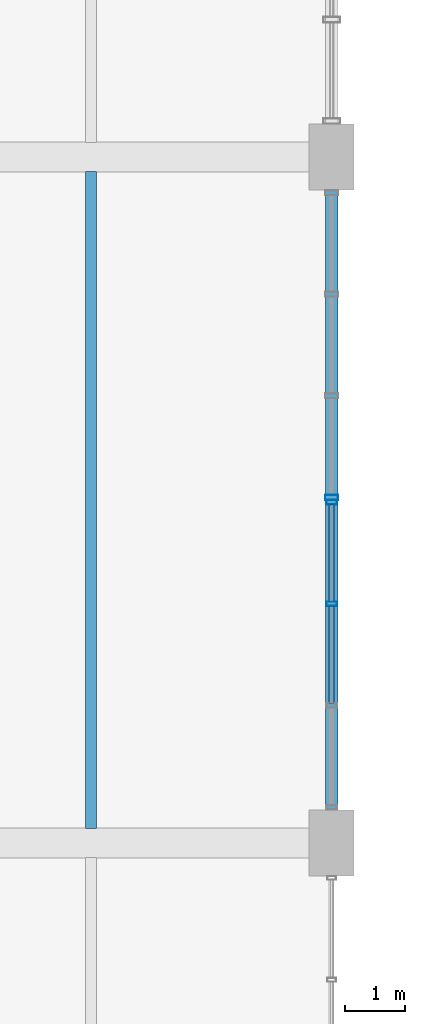
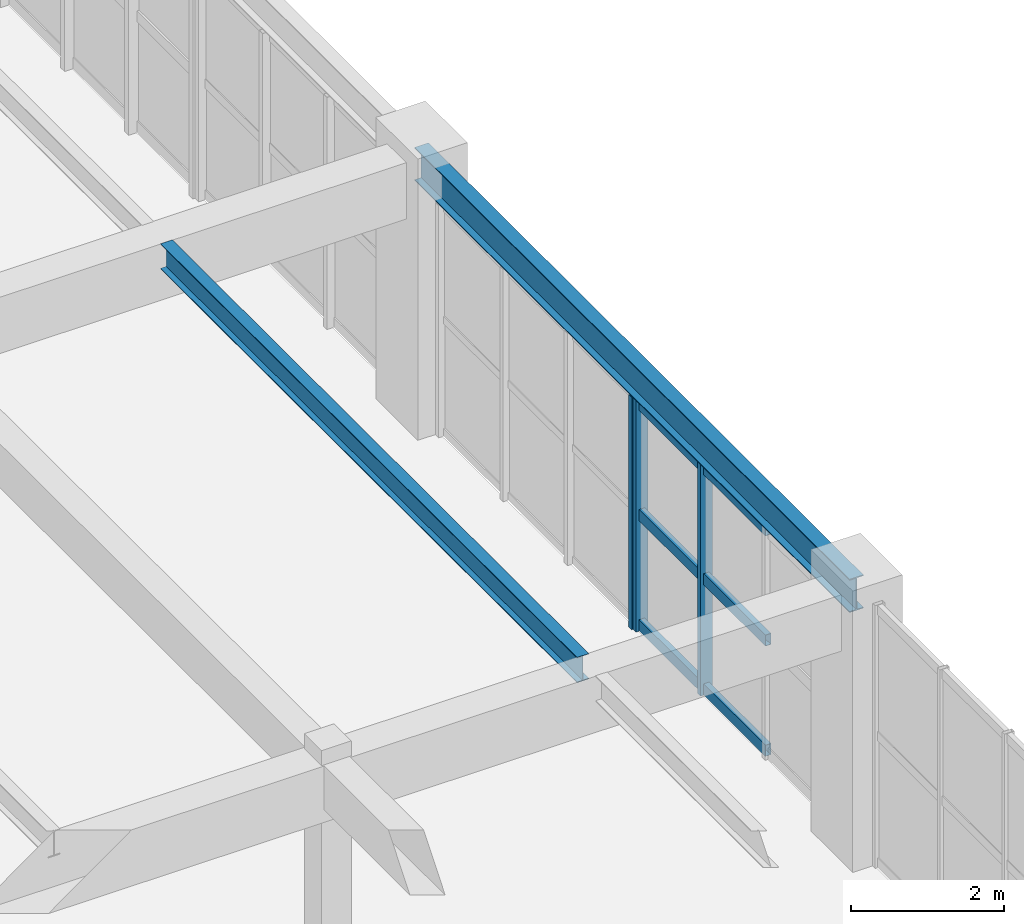
# One storey, part 16 of 80: 9 members, 2 beams, 2 elements without a shape of their own.
"""IFC4 building model written with IfcOpenShell, lengths in metres."""

import ifcopenshell
import ifcopenshell.guid

model = None  # the IFC model being written
_history = None  # IfcOwnerHistory: only IFC2X3 demands one
_inside = {}  # id of a spatial element -> (the spatial element, [elements in it])
_under = {}  # id of a project, library or spatial element -> (it, [spatial elements below it])
_declared = {}  # id of a project -> (the project, [libraries it declares])
_typed = {}  # id of a type object -> (the type object, [elements of that type])
_made_of = {}  # id of a material, layer set ... -> (it, [elements and type objects made of it])


def new_model(schema):
    """Start an empty IFC model of exactly this schema.

    Asked for "IFC4X3", IfcOpenShell would pick the latest addendum, in which some entities
    have other attributes; the version numbers below select the first issue.
    IFC2X3 requires an IfcOwnerHistory on every rooted entity: one is made here for all.
    """
    global model, _history
    if schema == "IFC4X3":
        model = ifcopenshell.file(schema_version=(4, 3, 0, 0))
    else:
        model = ifcopenshell.file(schema=schema)
    _inside.clear()
    _under.clear()
    _declared.clear()
    _typed.clear()
    _made_of.clear()
    _history = None
    if model.schema == "IFC2X3":
        org = make("IfcOrganization", Name="unknown")
        user = make(
            "IfcPersonAndOrganization",
            ThePerson=make("IfcPerson", FamilyName="unknown"),
            TheOrganization=org,
        )
        app = make(
            "IfcApplication",
            ApplicationDeveloper=org,
            Version="unknown",
            ApplicationFullName="unknown",
            ApplicationIdentifier="unknown",
        )
        _history = make(
            "IfcOwnerHistory",
            OwningUser=user,
            OwningApplication=app,
            ChangeAction="ADDED",
            CreationDate=0,
        )
    return model


def make(cls, **values):
    """One entity of the class cls with the attributes given. An attribute that is None is left unset."""
    return model.create_entity(
        cls, **{name: value for name, value in values.items() if value is not None}
    )


def rooted(cls, **values):
    """An entity with a GlobalId (a new one), such as an element, a storey or a relation."""
    return make(cls, GlobalId=ifcopenshell.guid.new(), OwnerHistory=_history, **values)


def si_unit(unit_type, name, prefix=None):
    """IfcSIUnit, for example si_unit("LENGTHUNIT", "METRE", prefix="MILLI")."""
    return make("IfcSIUnit", UnitType=unit_type, Prefix=prefix, Name=name)


def assignment(units):
    """IfcUnitAssignment: the units of a project."""
    return None if units is None else make("IfcUnitAssignment", Units=units)


def point(xyz):
    """IfcCartesianPoint."""
    return None if xyz is None else make("IfcCartesianPoint", Coordinates=xyz)


def direction(xyz):
    """IfcDirection."""
    return None if xyz is None else make("IfcDirection", DirectionRatios=xyz)


def frame(location, z_axis=None, x_axis=None):
    """IfcAxis2Placement3D, a coordinate frame: its origin and axes. An axis left out is left unset."""
    return make(
        "IfcAxis2Placement3D",
        Location=point(location),
        Axis=direction(z_axis),
        RefDirection=direction(x_axis),
    )


def frame_2d(location, x_axis=None):
    """IfcAxis2Placement2D, a coordinate frame in the plane: its origin and x axis."""
    return make(
        "IfcAxis2Placement2D", Location=point(location), RefDirection=direction(x_axis)
    )


def origin():
    """The frame at (0, 0, 0) with its axes left unset."""
    return frame((0.0, 0.0, 0.0))


def origin_2d():
    """The frame at (0, 0) in the plane with its x axis left unset."""
    return frame_2d((0.0, 0.0))


def place(relative_to, where):
    """IfcLocalPlacement: puts the frame where relative to a parent placement (None: the world)."""
    return make(
        "IfcLocalPlacement", PlacementRelTo=relative_to, RelativePlacement=where
    )


def context(
    kind, dimensions, precision=None, world=None, true_north=None, identifier=None
):
    """IfcGeometricRepresentationContext, for example the 3D "Model" context."""
    return make(
        "IfcGeometricRepresentationContext",
        ContextIdentifier=identifier,
        ContextType=kind,
        CoordinateSpaceDimension=dimensions,
        Precision=precision,
        WorldCoordinateSystem=world,
        TrueNorth=true_north,
    )


def subcontext(parent, identifier, kind, view, scale=None):
    """IfcGeometricRepresentationSubContext, for example "Body" below "Model"."""
    return make(
        "IfcGeometricRepresentationSubContext",
        ContextIdentifier=identifier,
        ContextType=kind,
        ParentContext=parent,
        TargetScale=scale,
        TargetView=view,
    )


def project(units=None, contexts=None):
    """IfcProject with its units and contexts."""
    return rooted(
        "IfcProject",
        Name="project",
        RepresentationContexts=contexts,
        UnitsInContext=assignment(units),
    )


def spatial(cls, under=None, at=None, **own):
    """A site, building, storey or space (cls), placed at a placement, below another one or the project."""
    s = rooted(cls, ObjectPlacement=at, **own)
    if under is not None:
        _under.setdefault(under.id(), (under, []))[1].append(s)
    return s


def profile(cls, at=None, kind="AREA", **sizes):
    """A parametric profile (cls). Its sizes go by their IFC names, for example OverallWidth=200.0."""
    return make(cls, ProfileType=kind, Position=at, **sizes)


def hollow_rectangle(**sizes):
    """IfcRectangleHollowProfileDef."""
    return profile("IfcRectangleHollowProfileDef", **sizes)


def i_section(**sizes):
    """IfcIShapeProfileDef."""
    return profile("IfcIShapeProfileDef", **sizes)


def extrude(swept, where, along, depth):
    """IfcExtrudedAreaSolid: the profile swept, set in the frame where, extruded along a direction by depth."""
    return make(
        "IfcExtrudedAreaSolid",
        SweptArea=swept,
        Position=where,
        ExtrudedDirection=direction(along),
        Depth=depth,
    )


def shape(context_of_items, identifier, shape_type, items):
    """IfcShapeRepresentation: the items that make up one representation, for example the "Body"."""
    return make(
        "IfcShapeRepresentation",
        ContextOfItems=context_of_items,
        RepresentationIdentifier=identifier,
        RepresentationType=shape_type,
        Items=items,
    )


def material(Name=None, Category=None):
    """IfcMaterial."""
    return make("IfcMaterial", Name=Name, Category=Category)


def layer(
    of_material, thickness, ventilated=None, Name=None, Category=None, Priority=None
):
    """IfcMaterialLayer: one layer of a wall or slab, of a material (None: an air gap)."""
    return make(
        "IfcMaterialLayer",
        Material=of_material,
        LayerThickness=thickness,
        IsVentilated=ventilated,
        Name=Name,
        Category=Category,
        Priority=Priority,
    )


def layer_set(layers, Name=None):
    """IfcMaterialLayerSet."""
    return make("IfcMaterialLayerSet", MaterialLayers=layers, LayerSetName=Name)


def material_profile(
    of_material, cross_section, Name=None, Category=None, Priority=None
):
    """IfcMaterialProfile: a cross section and its material."""
    return make(
        "IfcMaterialProfile",
        Name=Name,
        Material=of_material,
        Profile=cross_section,
        Priority=Priority,
        Category=Category,
    )


def profile_set(profiles, Name=None, composite=None):
    """IfcMaterialProfileSet."""
    return make(
        "IfcMaterialProfileSet",
        Name=Name,
        MaterialProfiles=profiles,
        CompositeProfile=composite,
    )


def made_of(thing, what):
    """Note that an element or type object is made of a material, layer set ...; save() writes the relation."""
    if what is not None:
        _made_of.setdefault(what.id(), (what, []))[1].append(thing)
    return thing


def type_object(cls, material=None, **own):
    """A type object (cls), such as IfcWallType, which elements share."""
    return made_of(rooted(cls, **own), material)


def element(
    cls,
    number,
    at=None,
    inside=None,
    cuts=None,
    type_object=None,
    material=None,
    context=None,
    identifier="Body",
    shape_type=None,
    held_by="IfcProductDefinitionShape",
    body=None,
    shapes=None,
    **own,
):
    """One element of the class cls, such as IfcWall. Its Tag is "e" and its number.

    at: its placement. inside: the storey or other place that contains it. cuts: it is an
    opening in that element (IfcRelVoidsElement). A single representation is given by context,
    identifier, shape_type and body (its items); several are given by shapes. held_by: the class
    of the entity that holds the representations. save() writes the other relations.
    """
    e = rooted(cls, Tag="e%d" % number, ObjectPlacement=at, **own)
    if body is not None:
        shapes = [shape(context, identifier, shape_type, body)]
    if shapes is not None:
        e.Representation = make(held_by, Representations=shapes)
    if inside is not None:
        _inside.setdefault(inside.id(), (inside, []))[1].append(e)
    if cuts is not None:
        rooted(
            "IfcRelVoidsElement", RelatingBuildingElement=cuts, RelatedOpeningElement=e
        )
    if type_object is not None:
        _typed.setdefault(type_object.id(), (type_object, []))[1].append(e)
    return made_of(e, material)


def aggregate(whole, parts):
    """IfcRelAggregates: a whole, such as a stair, and the parts it consists of."""
    return rooted("IfcRelAggregates", RelatingObject=whole, RelatedObjects=parts)


def save(model, path):
    """Write the relations noted so far, then the file.

    IfcRelAggregates (storeys below a building ...), IfcRelContainedInSpatialStructure (elements
    in a storey), IfcRelDefinesByType, IfcRelAssociatesMaterial and IfcRelDeclares: one each for
    every whole, place, type object, material and project.
    """
    for whole, parts in _under.values():
        aggregate(whole, parts)
    for where, things in _inside.values():
        rooted(
            "IfcRelContainedInSpatialStructure",
            RelatedElements=things,
            RelatingStructure=where,
        )
    for kind, things in _typed.values():
        rooted("IfcRelDefinesByType", RelatedObjects=things, RelatingType=kind)
    for what, things in _made_of.values():
        rooted("IfcRelAssociatesMaterial", RelatedObjects=things, RelatingMaterial=what)
    for by, libraries in _declared.values():
        rooted("IfcRelDeclares", RelatingContext=by, RelatedDefinitions=libraries)
    model.write(path)


model = new_model("IFC4")

# Units and contexts
model_context = context("Model", 3, precision=1e-05, world=origin(), true_north=direction((0.0, 1.0)))
body_context = subcontext(model_context, "Body", "Model", "MODEL_VIEW")
ifc_project = project(units=[si_unit("LENGTHUNIT", "METRE"), si_unit("AREAUNIT", "SQUARE_METRE"), si_unit("VOLUMEUNIT", "CUBIC_METRE"), si_unit("PLANEANGLEUNIT", "RADIAN"), si_unit("MASSUNIT", "GRAM", prefix="KILO"), si_unit("POWERUNIT", "WATT"), si_unit("THERMODYNAMICTEMPERATUREUNIT", "KELVIN")], contexts=[model_context])

# Site, building, storey
site_placement = place(None, origin())
site = spatial("IfcSite", under=ifc_project, at=site_placement, CompositionType="ELEMENT")
building_placement = place(site_placement, origin())
building = spatial("IfcBuilding", under=site, at=building_placement, Name="Kelmbourne Parkland Aquatics Centre", CompositionType="ELEMENT")
storey_placement = place(building_placement, frame((0.0, 0.0, 10.199951171875)))
storey = spatial("IfcBuildingStorey", under=building, at=storey_placement, Name="L02", CompositionType="ELEMENT", Elevation=10.199951171875)

# Beams
ifc_material_1 = material(Name="Structural steel AS/NZS 3679.1 Grade 300", Category="steel")
ifc_material_profile_1 = material_profile(ifc_material_1, i_section(OverallWidth=0.177978515625, OverallDepth=0.406005859375, WebThickness=0.0078125, FlangeThickness=0.0126953125, at=origin_2d()), Name="410UB59.7")
ifc_profile_set_1 = profile_set([ifc_material_profile_1], Name="Structural steel AS/NZS 3679.1 Grade 300")
beam_type_1 = type_object("IfcBeamType", Name="BM-J01", PredefinedType="JOIST", material=ifc_profile_set_1)
beam_1_placement = place(storey_placement, frame((36.0, 58.0419921875, 4.05712890625), z_axis=(0.0, 1.0, 0.0), x_axis=(-1.0, 0.0, 0.0)))
element("IfcBeam", 1, at=beam_1_placement, inside=storey, type_object=beam_type_1, Name="Secondary floor joist E-F/08-10 #1 (L03)", PredefinedType="JOIST", context=body_context, shape_type="SweptSolid", body=[
    extrude(i_section(OverallWidth=0.177978515625, OverallDepth=0.406005859375, WebThickness=0.0078125, FlangeThickness=0.0126953125, at=origin_2d()), origin(), (0.0, 0.0, 1.0), 10.916015625),
])
ifc_material_profile_2 = material_profile(ifc_material_1, i_section(OverallWidth=0.208984375, OverallDepth=0.532958984375, WebThickness=0.01025390625, FlangeThickness=0.015625, at=origin_2d()), Name="530UB92.4")
ifc_profile_set_2 = profile_set([ifc_material_profile_2], Name="Structural steel AS/NZS 3679.1 Grade 300")
beam_type_2 = type_object("IfcBeamType", Name="BM-SP02", PredefinedType="SPANDREL", material=ifc_profile_set_2)
beam_2_placement = place(storey_placement, frame((40.0, 57.800048828125, 3.99365234375), z_axis=(0.0, 1.0, 0.0), x_axis=(-1.0, 0.0, 0.0)))
element("IfcBeam", 2, at=beam_2_placement, inside=storey, type_object=beam_type_2, Name="Perimeter spandrel 08-10 Grid F (L03)", PredefinedType="SPANDREL", context=body_context, shape_type="SweptSolid", body=[
    extrude(i_section(OverallWidth=0.208984375, OverallDepth=0.532958984375, WebThickness=0.01025390625, FlangeThickness=0.015625, at=origin_2d()), origin(), (0.0, 0.0, 1.0), 11.39990234375),
])

# Curtain wall, members
ifc_material_2 = material(Name="Thermally broken anodised aluminium framing", Category="aluminium")
ifc_layer_1 = layer(ifc_material_2, 0.179931640625)
ifc_layer_set_1 = layer_set([ifc_layer_1], Name="Thermally broken anodised aluminium framing")
curtain_wall_type_1 = type_object("IfcCurtainWallType", Name="CW-11", PredefinedType="NOTDEFINED", material=ifc_layer_set_1)
curtain_wall_1_placement = place(storey_placement, origin())
curtain_wall_1 = element("IfcCurtainWall", 3, at=curtain_wall_1_placement, inside=storey, type_object=curtain_wall_type_1, Name="Facade curtain wall CW-L02-251", PredefinedType="NOTDEFINED")
ifc_material_profile_3 = material_profile(ifc_material_2, hollow_rectangle(XDim=0.074951171875, YDim=0.179931640625, WallThickness=0.00439453125, at=origin_2d()), Name="CW-M 75x180")
ifc_profile_set_3 = profile_set([ifc_material_profile_3], Name="Thermally broken anodised aluminium framing")
member_type_1 = type_object("IfcMemberType", Name="MB-MUL-2", PredefinedType="MULLION", material=ifc_profile_set_3)
member_1_placement = place(storey_placement, frame((40.0, 61.771484375, 0.0), z_axis=(0.0, 0.0, 1.0), x_axis=(0.0, 1.0, 0.0)))
member_1 = element("IfcMember", 4, at=member_1_placement, type_object=member_type_1, Name="CW-L02-251 mullion 2", PredefinedType="MULLION", context=body_context, shape_type="SweptSolid", body=[
    extrude(hollow_rectangle(XDim=0.074951171875, YDim=0.179931640625, WallThickness=0.00439453125, at=origin_2d()), origin(), (0.0, 0.0, 1.0), 3.712158203125),
])
member_2_placement = place(storey_placement, frame((40.0, 63.46240234375, 0.0), z_axis=(0.0, 0.0, 1.0), x_axis=(0.0, 1.0, 0.0)))
member_2 = element("IfcMember", 5, at=member_2_placement, type_object=member_type_1, Name="CW-L02-251 mullion 3", PredefinedType="MULLION", context=body_context, shape_type="SweptSolid", body=[
    extrude(hollow_rectangle(XDim=0.074951171875, YDim=0.179931640625, WallThickness=0.00439453125, at=origin_2d()), origin(), (0.0, 0.0, 1.0), 3.712158203125),
])

# Curtain wall, member
ifc_layer_2 = layer(ifc_material_2, 0.179931640625)
ifc_layer_set_2 = layer_set([ifc_layer_2], Name="Thermally broken anodised aluminium framing")
curtain_wall_type_2 = type_object("IfcCurtainWallType", Name="CW-12", PredefinedType="NOTDEFINED", material=ifc_layer_set_2)
curtain_wall_2_placement = place(storey_placement, origin())
curtain_wall_2 = element("IfcCurtainWall", 6, at=curtain_wall_2_placement, inside=storey, type_object=curtain_wall_type_2, Name="Facade curtain wall CW-L02-252", PredefinedType="NOTDEFINED")
ifc_material_profile_4 = material_profile(ifc_material_2, hollow_rectangle(XDim=0.0849609375, YDim=0.219970703125, WallThickness=0.0048828125, at=origin_2d()), Name="CW-M 85x220")
ifc_profile_set_4 = profile_set([ifc_material_profile_4], Name="Thermally broken anodised aluminium framing")
member_type_2 = type_object("IfcMemberType", Name="MB-MUL-3", PredefinedType="MULLION", material=ifc_profile_set_4)
member_3_placement = place(storey_placement, frame((40.0, 63.54248046875, 0.0), z_axis=(0.0, 0.0, 1.0), x_axis=(0.0, 1.0, 0.0)))
member_3 = element("IfcMember", 7, at=member_3_placement, type_object=member_type_2, Name="CW-L02-252 mullion 0", PredefinedType="MULLION", context=body_context, shape_type="SweptSolid", body=[
    extrude(hollow_rectangle(XDim=0.0849609375, YDim=0.219970703125, WallThickness=0.0048828125, at=origin_2d()), origin(), (0.0, 0.0, 1.0), 3.712158203125),
])
aggregate(curtain_wall_2, [member_3])

# Member
ifc_material_profile_5 = material_profile(ifc_material_2, hollow_rectangle(XDim=0.0849609375, YDim=0.179931640625, WallThickness=0.00439453125, at=origin_2d()), Name="CW-T 85x180")
ifc_profile_set_5 = profile_set([ifc_material_profile_5], Name="Thermally broken anodised aluminium framing")
member_type_3 = type_object("IfcMemberType", Name="MB-TRN-3", PredefinedType="USERDEFINED", material=ifc_profile_set_5)
member_4_placement = place(storey_placement, frame((40.0, 60.114013671875, 0.093017578125), z_axis=(0.0, 1.0, 0.0), x_axis=(-1.0, 0.0, 0.0)))
member_4 = element("IfcMember", 8, at=member_4_placement, type_object=member_type_3, Name="CW-L02-251 transom 0-1", ObjectType="TRANSOM", PredefinedType="USERDEFINED", context=body_context, shape_type="SweptSolid", body=[
    extrude(hollow_rectangle(XDim=0.0849609375, YDim=0.179931640625, WallThickness=0.00439453125, at=origin_2d()), origin(), (0.0, 0.0, 1.0), 1.6240234375),
])

member_5_placement = place(storey_placement, frame((40.0, 61.804931640625, 0.093017578125), z_axis=(0.0, 1.0, 0.0), x_axis=(-1.0, 0.0, 0.0)))
member_5 = element("IfcMember", 9, at=member_5_placement, type_object=member_type_3, Name="CW-L02-251 transom 0-2", ObjectType="TRANSOM", PredefinedType="USERDEFINED", context=body_context, shape_type="SweptSolid", body=[
    extrude(hollow_rectangle(XDim=0.0849609375, YDim=0.179931640625, WallThickness=0.00439453125, at=origin_2d()), origin(), (0.0, 0.0, 1.0), 1.6240234375),
])

member_6_placement = place(storey_placement, frame((40.0, 60.114013671875, 1.85595703125), z_axis=(0.0, 1.0, 0.0), x_axis=(-1.0, 0.0, 0.0)))
member_6 = element("IfcMember", 10, at=member_6_placement, type_object=member_type_3, Name="CW-L02-251 transom 1-1", ObjectType="TRANSOM", PredefinedType="USERDEFINED", context=body_context, shape_type="SweptSolid", body=[
    extrude(hollow_rectangle(XDim=0.0849609375, YDim=0.179931640625, WallThickness=0.00439453125, at=origin_2d()), origin(), (0.0, 0.0, 1.0), 1.6240234375),
])

member_7_placement = place(storey_placement, frame((40.0, 61.804931640625, 1.85595703125), z_axis=(0.0, 1.0, 0.0), x_axis=(-1.0, 0.0, 0.0)))
member_7 = element("IfcMember", 11, at=member_7_placement, type_object=member_type_3, Name="CW-L02-251 transom 1-2", ObjectType="TRANSOM", PredefinedType="USERDEFINED", context=body_context, shape_type="SweptSolid", body=[
    extrude(hollow_rectangle(XDim=0.0849609375, YDim=0.179931640625, WallThickness=0.00439453125, at=origin_2d()), origin(), (0.0, 0.0, 1.0), 1.6240234375),
])

member_8_placement = place(storey_placement, frame((40.0, 60.114013671875, 3.619140625), z_axis=(0.0, 1.0, 0.0), x_axis=(-1.0, 0.0, 0.0)))
member_8 = element("IfcMember", 12, at=member_8_placement, type_object=member_type_3, Name="CW-L02-251 transom 2-1", ObjectType="TRANSOM", PredefinedType="USERDEFINED", context=body_context, shape_type="SweptSolid", body=[
    extrude(hollow_rectangle(XDim=0.0849609375, YDim=0.179931640625, WallThickness=0.00439453125, at=origin_2d()), origin(), (0.0, 0.0, 1.0), 1.6240234375),
])

member_9_placement = place(storey_placement, frame((40.0, 61.804931640625, 3.619140625), z_axis=(0.0, 1.0, 0.0), x_axis=(-1.0, 0.0, 0.0)))
member_9 = element("IfcMember", 13, at=member_9_placement, type_object=member_type_3, Name="CW-L02-251 transom 2-2", ObjectType="TRANSOM", PredefinedType="USERDEFINED", context=body_context, shape_type="SweptSolid", body=[
    extrude(hollow_rectangle(XDim=0.0849609375, YDim=0.179931640625, WallThickness=0.00439453125, at=origin_2d()), origin(), (0.0, 0.0, 1.0), 1.6240234375),
])

aggregate(curtain_wall_1, [member_1, member_2, member_4, member_5, member_6, member_7, member_8, member_9])

save(model, "model.ifc")
